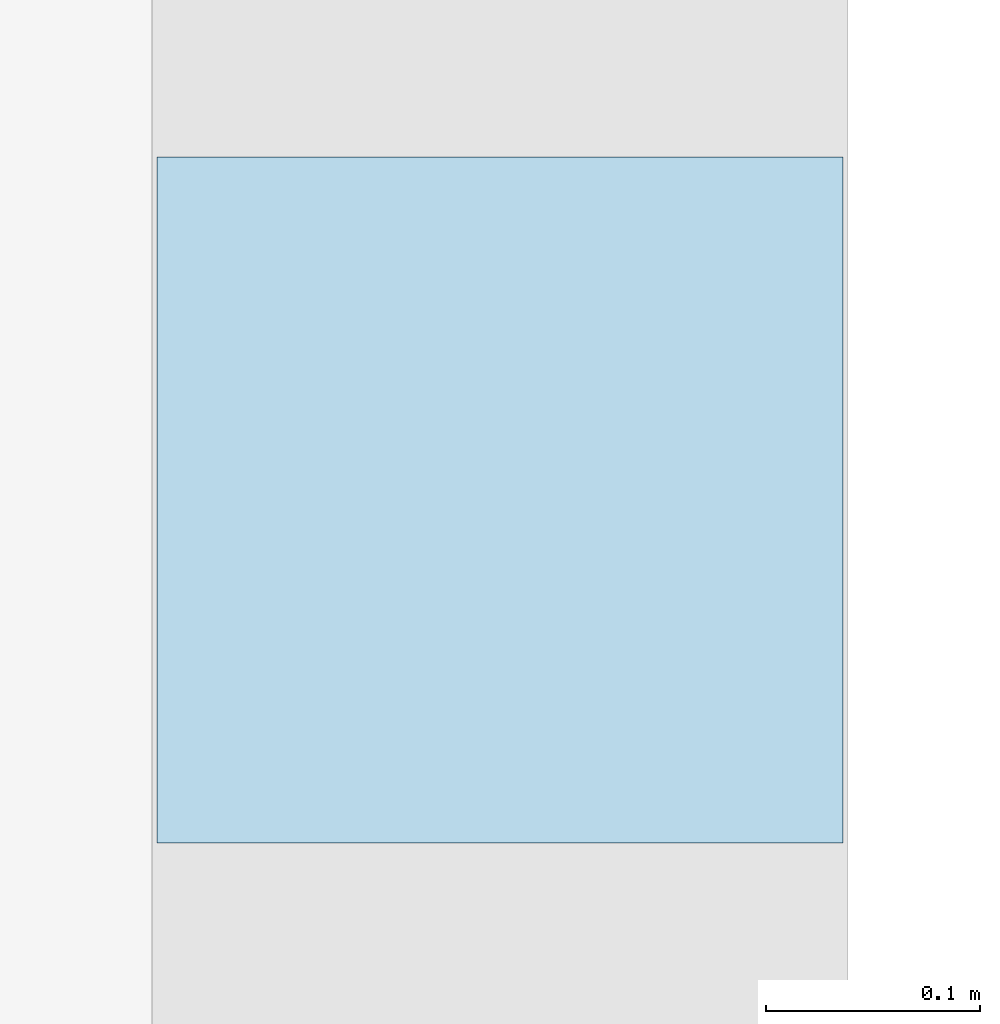
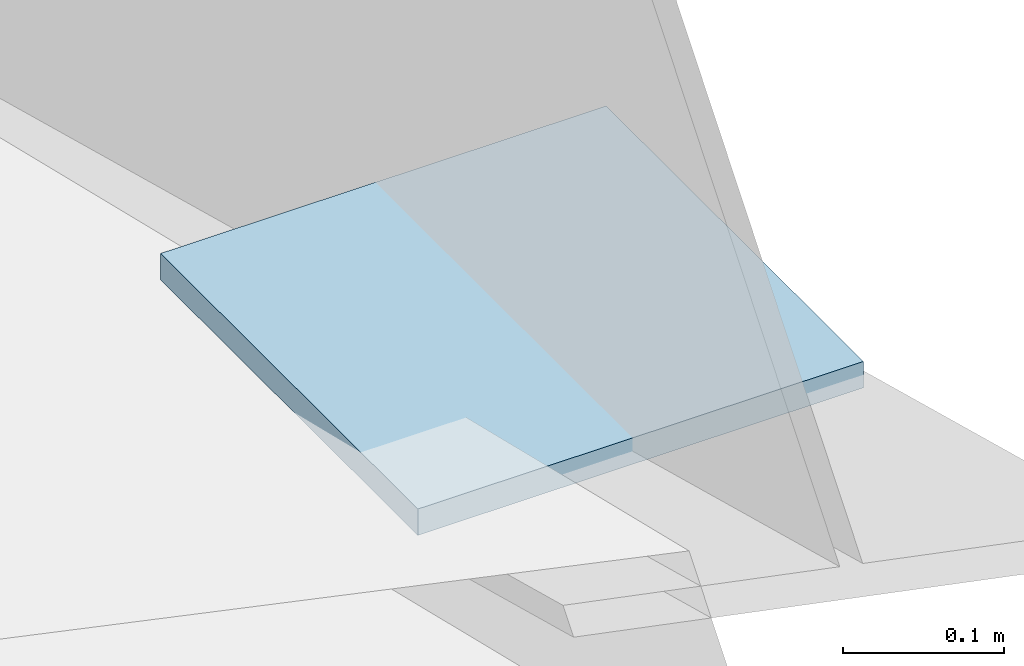
# One storey, part 41 of 53: 1 plate.
"""IFC4 building model written with IfcOpenShell, lengths in metres."""

from ifc_helpers import new_model, si_unit, direction, frame, origin, origin_2d, place, context, subcontext, project, spatial, rectangle, extrude, material, layer, layer_set, type_object, element, save


model = new_model("IFC4")

# Units and contexts
model_context = context("Model", 3, precision=1e-05, world=origin(), true_north=direction((0.0, 1.0)))
body_context = subcontext(model_context, "Body", "Model", "MODEL_VIEW")
ifc_project = project(units=[si_unit("LENGTHUNIT", "METRE"), si_unit("AREAUNIT", "SQUARE_METRE"), si_unit("VOLUMEUNIT", "CUBIC_METRE"), si_unit("PLANEANGLEUNIT", "RADIAN"), si_unit("MASSUNIT", "GRAM", prefix="KILO")], contexts=[model_context])

# Site, building, storey
site_placement = place(None, origin())
site = spatial("IfcSite", under=ifc_project, at=site_placement, CompositionType="ELEMENT")
building_placement = place(site_placement, origin())
building = spatial("IfcBuilding", under=site, at=building_placement, Name="Cazmaro Siding Exhibition Halls", CompositionType="ELEMENT")
storey_placement = place(building_placement, frame((0.0, 0.0, 21.0)))
storey = spatial("IfcBuildingStorey", under=building, at=storey_placement, Name="L04", CompositionType="ELEMENT", Elevation=21.0)

# Plate
ifc_material = material(Name="Steel ASTM A572 Grade 50", Category="steel")
ifc_layer = layer(ifc_material, 0.02001953125)
ifc_layer_set = layer_set([ifc_layer], Name="Steel ASTM A572 Grade 50")
plate_type = type_object("IfcPlateType", Name="CP-02", PredefinedType="SHEET", material=ifc_layer_set)
plate_placement = place(storey_placement, frame((171.0, 108.0, 0.35595703125), z_axis=(0.0, 0.0, 1.0), x_axis=(1.0, 0.0, 0.0)))
element("IfcPlate", 1, at=plate_placement, inside=storey, type_object=plate_type, Name="HSS column top end-cap plate CP-02", PredefinedType="SHEET", context=body_context, shape_type="SweptSolid", body=[
    extrude(rectangle(XDim=0.320068359375, YDim=0.320068359375, at=origin_2d()), origin(), (0.0, 0.0, 1.0), 0.02001953125),
])

save(model, "model.ifc")
